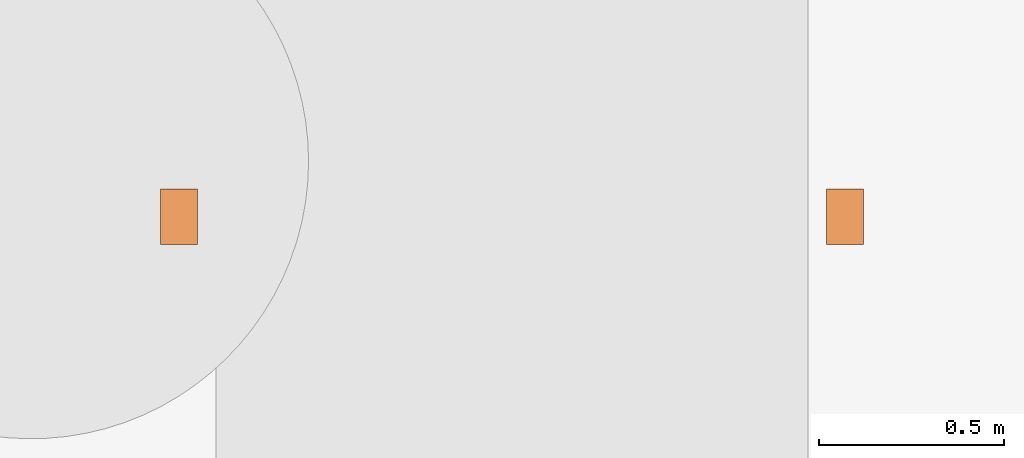
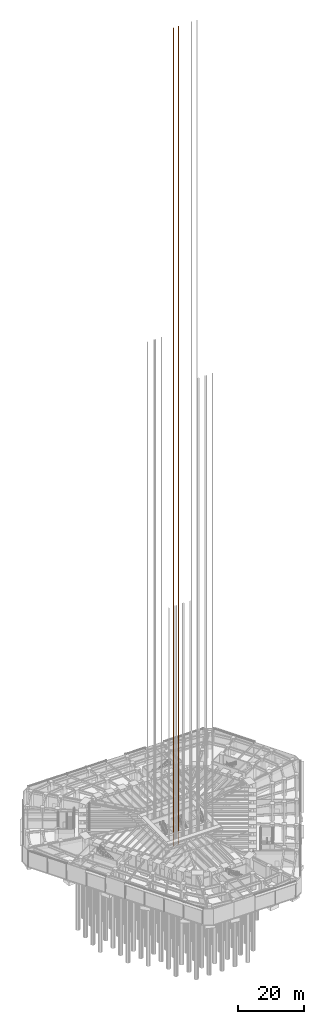
# One storey, part 31 of 34: 1 proxy.
"""IFC4 building model written with IfcOpenShell, lengths in metres."""

from ifc_helpers import new_model, si_unit, direction, frame, origin, origin_2d, place, context, subcontext, project, spatial, rectangle, extrude, material, type_object, element, save


model = new_model("IFC4")

# Units and contexts
model_context = context("Model", 3, precision=1e-05, world=origin(), true_north=direction((0.0, 1.0)))
body_context = subcontext(model_context, "Body", "Model", "MODEL_VIEW")
ifc_project = project(units=[si_unit("LENGTHUNIT", "METRE"), si_unit("AREAUNIT", "SQUARE_METRE"), si_unit("VOLUMEUNIT", "CUBIC_METRE"), si_unit("PLANEANGLEUNIT", "RADIAN"), si_unit("MASSUNIT", "GRAM", prefix="KILO")], contexts=[model_context])

# Site, building, storey
site_placement = place(None, origin())
site = spatial("IfcSite", under=ifc_project, at=site_placement, CompositionType="ELEMENT")
building_placement = place(site_placement, origin())
building = spatial("IfcBuilding", under=site, at=building_placement, Name="Sandreach Pilgrim Tower", CompositionType="ELEMENT")
storey_placement = place(building_placement, origin())
storey = spatial("IfcBuildingStorey", under=building, at=storey_placement, Name="L00", CompositionType="ELEMENT", Elevation=0.0)

# Proxy
ifc_material = material(Name="Steel guide rail", Category="steel")
building_element_proxy_type = type_object("IfcBuildingElementProxyType", Name="Lift guide rails", PredefinedType="NOTDEFINED", material=ifc_material)
proxy_placement = place(storey_placement, frame((-3.199951171875, -4.64990234375, 0.0), z_axis=(0.0, 0.0, 1.0), x_axis=(1.0, 0.0, 0.0)))
element("IfcBuildingElementProxy", 1, at=proxy_placement, inside=storey, type_object=building_element_proxy_type, Name="Guide rails FS1", PredefinedType="NOTDEFINED", context=body_context, shape_type="SweptSolid", body=[
    extrude(rectangle(XDim=0.10009765625, YDim=0.14990234375, at=origin_2d()), frame((-0.900146484375, 0.0, 0.0)), (0.0, 0.0, 1.0), 302.39990234375),
    extrude(rectangle(XDim=0.10009765625, YDim=0.14990234375, at=origin_2d()), frame((0.900146484375, 0.0, 0.0)), (0.0, 0.0, 1.0), 302.39990234375),
])

save(model, "model.ifc")
